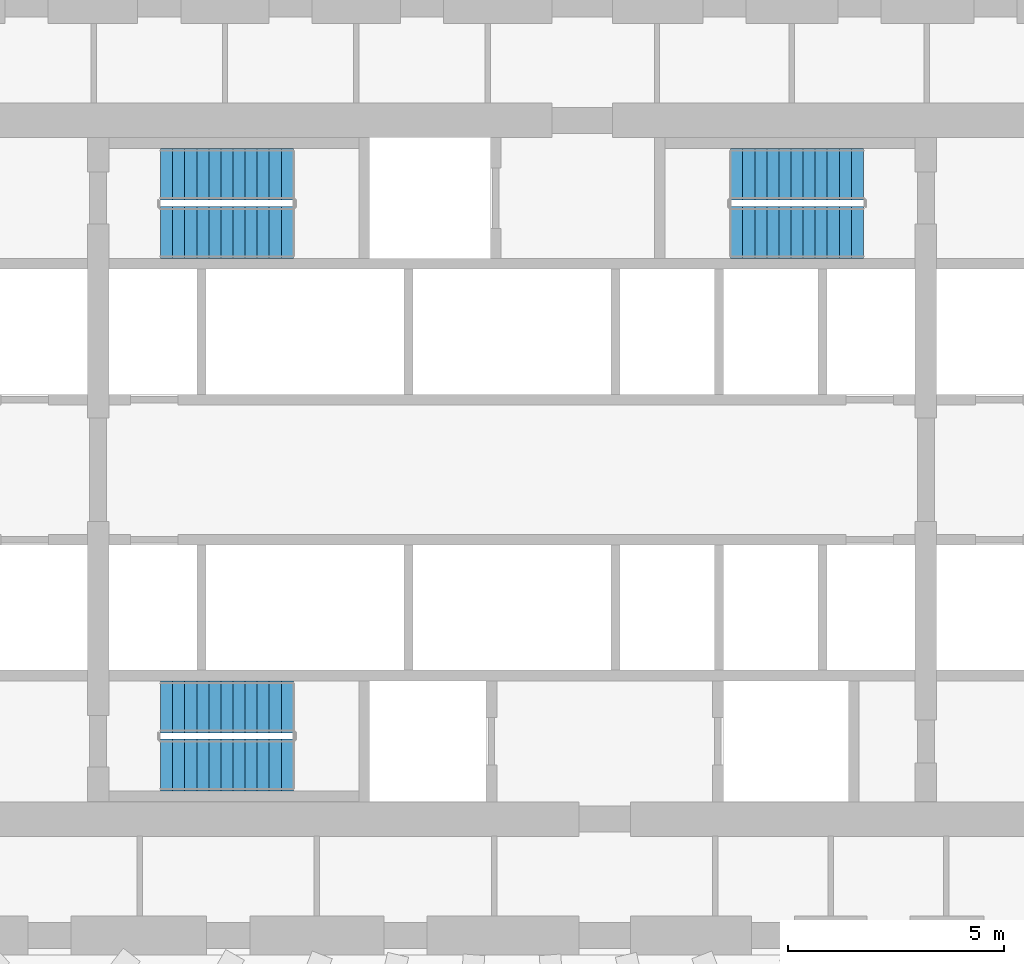
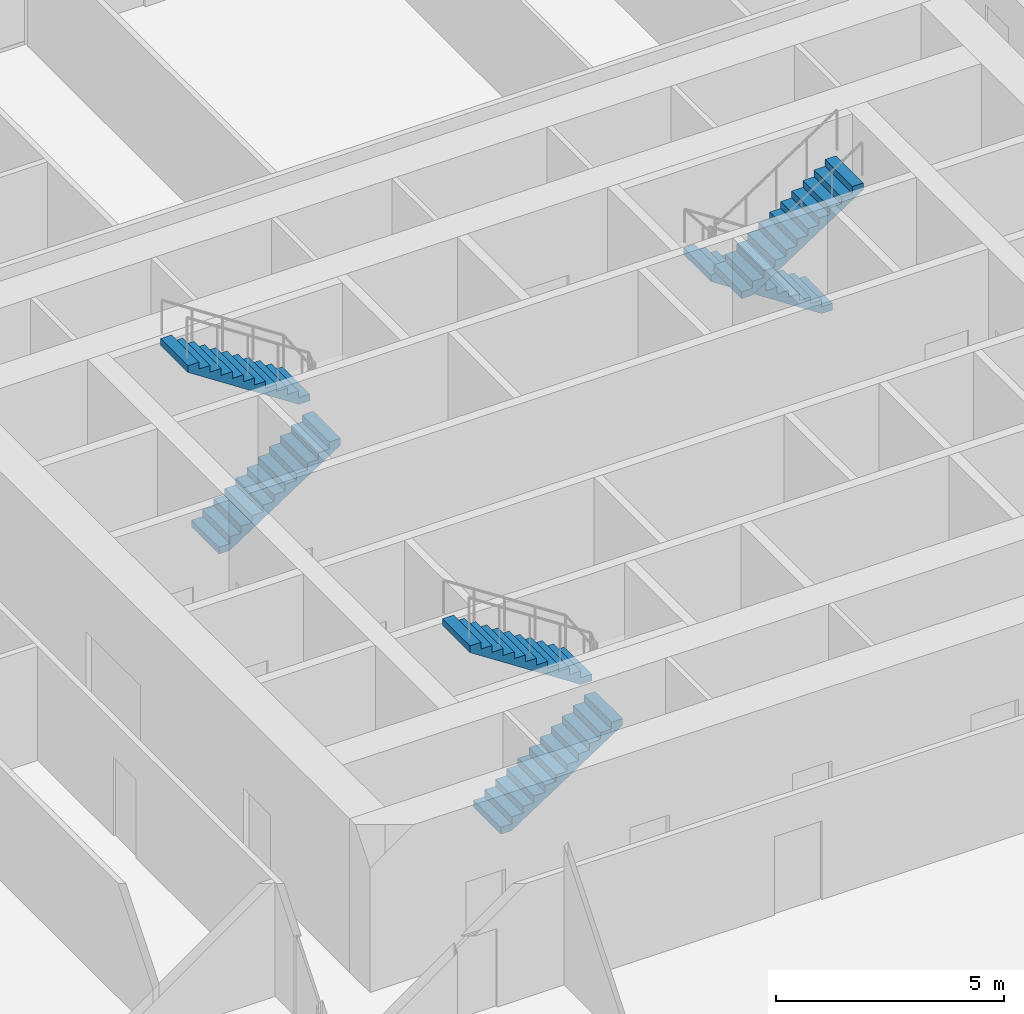
# One storey, part 15 of 18: 6 stair flights, 3 elements without a shape of their own.
"""IFC4 building model written with IfcOpenShell, lengths in metres."""

from ifc_helpers import new_model, si_unit, direction, frame, origin, place, context, subcontext, project, spatial, polyline, outline, extrude, material, layer, layer_set, type_object, element, aggregate, save


model = new_model("IFC4")

# Units and contexts
model_context = context("Model", 3, precision=1e-05, world=origin(), true_north=direction((0.0, 1.0)))
body_context = subcontext(model_context, "Body", "Model", "MODEL_VIEW")
ifc_project = project(units=[si_unit("LENGTHUNIT", "METRE"), si_unit("AREAUNIT", "SQUARE_METRE"), si_unit("VOLUMEUNIT", "CUBIC_METRE"), si_unit("PLANEANGLEUNIT", "RADIAN"), si_unit("MASSUNIT", "GRAM", prefix="KILO")], contexts=[model_context])

# Site, building, storey
site_placement = place(None, origin())
site = spatial("IfcSite", under=ifc_project, at=site_placement, CompositionType="ELEMENT")
building_placement = place(site_placement, origin())
building = spatial("IfcBuilding", under=site, at=building_placement, Name="Frailejon Research Tower", CompositionType="ELEMENT")
storey_placement = place(building_placement, frame((0.0, 0.0, 19.0)))
storey = spatial("IfcBuildingStorey", under=building, at=storey_placement, Name="L04", CompositionType="ELEMENT", Elevation=19.0)

# Stair, stair flights
ifc_material_1 = material(Name="Concrete C50/60", Category="concrete")
stair_type = type_object("IfcStairType", Name="Exit stair 24 risers", PredefinedType="HALF_TURN_STAIR", material=ifc_material_1)
stair_1_placement = place(storey_placement, origin())
stair_1 = element("IfcStair", 1, at=stair_1_placement, inside=storey, type_object=stair_type, Name="L04 Exit stair ST1", PredefinedType="HALF_TURN_STAIR")
ifc_material_2 = material(Name="Concrete C50/60", Category="concrete")
ifc_layer = layer(ifc_material_2, 0.14990234375)
ifc_layer_set = layer_set([ifc_layer], Name="Stair flight 12 risers")
stair_flight_type = type_object("IfcStairFlightType", Name="Stair flight 12 risers", PredefinedType="STRAIGHT", material=ifc_layer_set)
stair_flight_1_placement = place(storey_placement, frame((-8.14990234375, 5.5, 0.0), z_axis=(0.0, 0.0, 1.0), x_axis=(1.0, 0.0, 0.0)))
stair_flight_1 = element("IfcStairFlight", 2, at=stair_flight_1_placement, type_object=stair_flight_type, Name="ST1 flight 1", NumberOfRisers=12, NumberOfTreads=11, PredefinedType="STRAIGHT", RiserHeight=0.183333333, TreadLength=0.28, context=body_context, shape_type="SweptSolid", body=[
    extrude(outline(polyline([(0.0, 0.0), (0.0, 0.183349609375), (0.280029296875, 0.183349609375), (0.280029296875, 0.36669921875), (0.56005859375, 0.36669921875), (0.56005859375, 0.550048828125), (0.840087890625, 0.550048828125), (0.840087890625, 0.7333984375), (1.1201171875, 0.7333984375), (1.1201171875, 0.916748046875), (1.39990234375, 0.916748046875), (1.39990234375, 1.10009765625), (1.679931640625, 1.10009765625), (1.679931640625, 1.283447265625), (1.9599609375, 1.283447265625), (1.9599609375, 1.466552734375), (2.239990234375, 1.466552734375), (2.239990234375, 1.64990234375), (2.52001953125, 1.64990234375), (2.52001953125, 1.833251953125), (2.800048828125, 1.833251953125), (2.800048828125, 2.0166015625), (3.080078125, 2.0166015625), (3.080078125, 2.199951171875), (3.080078125, 1.83740234375), (0.273681640625, 0.0), (0.0, 0.0)])), frame((0.0, 0.60009765625, 0.0), z_axis=(0.0, -1.0, 0.0), x_axis=(1.0, 0.0, 0.0)), (0.0, 0.0, 1.0), 1.199951171875),
])
stair_flight_2_placement = place(storey_placement, frame((-5.070068359375, 6.85009765625, 2.199951171875), z_axis=(0.0, 0.0, 1.0), x_axis=(-1.0, 0.0, 0.0)))
stair_flight_2 = element("IfcStairFlight", 3, at=stair_flight_2_placement, type_object=stair_flight_type, Name="ST1 flight 2", NumberOfRisers=12, NumberOfTreads=11, PredefinedType="STRAIGHT", RiserHeight=0.183333333, TreadLength=0.28, context=body_context, shape_type="SweptSolid", body=[
    extrude(outline(polyline([(0.0, 0.0), (0.0, 0.183349609375), (0.280029296875, 0.183349609375), (0.280029296875, 0.36669921875), (0.56005859375, 0.36669921875), (0.56005859375, 0.550048828125), (0.840087890625, 0.550048828125), (0.840087890625, 0.7333984375), (1.1201171875, 0.7333984375), (1.1201171875, 0.916748046875), (1.39990234375, 0.916748046875), (1.39990234375, 1.10009765625), (1.679931640625, 1.10009765625), (1.679931640625, 1.283447265625), (1.9599609375, 1.283447265625), (1.9599609375, 1.466552734375), (2.239990234375, 1.466552734375), (2.239990234375, 1.64990234375), (2.52001953125, 1.64990234375), (2.52001953125, 1.833251953125), (2.800048828125, 1.833251953125), (2.800048828125, 2.0166015625), (3.080078125, 2.0166015625), (3.080078125, 2.199951171875), (3.080078125, 1.83740234375), (0.273681640625, 0.0), (0.0, 0.0)])), frame((0.0, 0.60009765625, 0.0), z_axis=(0.0, -1.0, 0.0), x_axis=(1.0, 0.0, 0.0)), (0.0, 0.0, 1.0), 1.199951171875),
])
aggregate(stair_1, [stair_flight_1, stair_flight_2])

stair_2_placement = place(storey_placement, origin())
stair_2 = element("IfcStair", 4, at=stair_2_placement, inside=storey, type_object=stair_type, Name="L04 Exit stair ST2", PredefinedType="HALF_TURN_STAIR")
stair_flight_3_placement = place(storey_placement, frame((-8.14990234375, -6.85009765625, 0.0), z_axis=(0.0, 0.0, 1.0), x_axis=(1.0, 0.0, 0.0)))
stair_flight_3 = element("IfcStairFlight", 5, at=stair_flight_3_placement, type_object=stair_flight_type, Name="ST2 flight 1", NumberOfRisers=12, NumberOfTreads=11, PredefinedType="STRAIGHT", RiserHeight=0.183333333, TreadLength=0.28, context=body_context, shape_type="SweptSolid", body=[
    extrude(outline(polyline([(0.0, 0.0), (0.0, 0.183349609375), (0.280029296875, 0.183349609375), (0.280029296875, 0.36669921875), (0.56005859375, 0.36669921875), (0.56005859375, 0.550048828125), (0.840087890625, 0.550048828125), (0.840087890625, 0.7333984375), (1.1201171875, 0.7333984375), (1.1201171875, 0.916748046875), (1.39990234375, 0.916748046875), (1.39990234375, 1.10009765625), (1.679931640625, 1.10009765625), (1.679931640625, 1.283447265625), (1.9599609375, 1.283447265625), (1.9599609375, 1.466552734375), (2.239990234375, 1.466552734375), (2.239990234375, 1.64990234375), (2.52001953125, 1.64990234375), (2.52001953125, 1.833251953125), (2.800048828125, 1.833251953125), (2.800048828125, 2.0166015625), (3.080078125, 2.0166015625), (3.080078125, 2.199951171875), (3.080078125, 1.83740234375), (0.273681640625, 0.0), (0.0, 0.0)])), frame((0.0, 0.60009765625, 0.0), z_axis=(0.0, -1.0, 0.0), x_axis=(1.0, 0.0, 0.0)), (0.0, 0.0, 1.0), 1.199951171875),
])
stair_flight_4_placement = place(storey_placement, frame((-5.070068359375, -5.5, 2.199951171875), z_axis=(0.0, 0.0, 1.0), x_axis=(-1.0, 0.0, 0.0)))
stair_flight_4 = element("IfcStairFlight", 6, at=stair_flight_4_placement, type_object=stair_flight_type, Name="ST2 flight 2", NumberOfRisers=12, NumberOfTreads=11, PredefinedType="STRAIGHT", RiserHeight=0.183333333, TreadLength=0.28, context=body_context, shape_type="SweptSolid", body=[
    extrude(outline(polyline([(0.0, 0.0), (0.0, 0.183349609375), (0.280029296875, 0.183349609375), (0.280029296875, 0.36669921875), (0.56005859375, 0.36669921875), (0.56005859375, 0.550048828125), (0.840087890625, 0.550048828125), (0.840087890625, 0.7333984375), (1.1201171875, 0.7333984375), (1.1201171875, 0.916748046875), (1.39990234375, 0.916748046875), (1.39990234375, 1.10009765625), (1.679931640625, 1.10009765625), (1.679931640625, 1.283447265625), (1.9599609375, 1.283447265625), (1.9599609375, 1.466552734375), (2.239990234375, 1.466552734375), (2.239990234375, 1.64990234375), (2.52001953125, 1.64990234375), (2.52001953125, 1.833251953125), (2.800048828125, 1.833251953125), (2.800048828125, 2.0166015625), (3.080078125, 2.0166015625), (3.080078125, 2.199951171875), (3.080078125, 1.83740234375), (0.273681640625, 0.0), (0.0, 0.0)])), frame((0.0, 0.60009765625, 0.0), z_axis=(0.0, -1.0, 0.0), x_axis=(1.0, 0.0, 0.0)), (0.0, 0.0, 1.0), 1.199951171875),
])
aggregate(stair_2, [stair_flight_3, stair_flight_4])

stair_3_placement = place(storey_placement, origin())
stair_3 = element("IfcStair", 7, at=stair_3_placement, inside=storey, type_object=stair_type, Name="L04 Exit stair ST3", PredefinedType="HALF_TURN_STAIR")
stair_flight_5_placement = place(storey_placement, frame((8.14990234375, 6.85009765625, 0.0), z_axis=(0.0, 0.0, 1.0), x_axis=(-1.0, 0.0, 0.0)))
stair_flight_5 = element("IfcStairFlight", 8, at=stair_flight_5_placement, type_object=stair_flight_type, Name="ST3 flight 1", NumberOfRisers=12, NumberOfTreads=11, PredefinedType="STRAIGHT", RiserHeight=0.183333333, TreadLength=0.28, context=body_context, shape_type="SweptSolid", body=[
    extrude(outline(polyline([(0.0, 0.0), (0.0, 0.183349609375), (0.280029296875, 0.183349609375), (0.280029296875, 0.36669921875), (0.56005859375, 0.36669921875), (0.56005859375, 0.550048828125), (0.840087890625, 0.550048828125), (0.840087890625, 0.7333984375), (1.1201171875, 0.7333984375), (1.1201171875, 0.916748046875), (1.39990234375, 0.916748046875), (1.39990234375, 1.10009765625), (1.679931640625, 1.10009765625), (1.679931640625, 1.283447265625), (1.9599609375, 1.283447265625), (1.9599609375, 1.466552734375), (2.239990234375, 1.466552734375), (2.239990234375, 1.64990234375), (2.52001953125, 1.64990234375), (2.52001953125, 1.833251953125), (2.800048828125, 1.833251953125), (2.800048828125, 2.0166015625), (3.080078125, 2.0166015625), (3.080078125, 2.199951171875), (3.080078125, 1.83740234375), (0.273681640625, 0.0), (0.0, 0.0)])), frame((0.0, 0.60009765625, 0.0), z_axis=(0.0, -1.0, 0.0), x_axis=(1.0, 0.0, 0.0)), (0.0, 0.0, 1.0), 1.199951171875),
])
stair_flight_6_placement = place(storey_placement, frame((5.070068359375, 5.5, 2.199951171875), z_axis=(0.0, 0.0, 1.0), x_axis=(1.0, 0.0, 0.0)))
stair_flight_6 = element("IfcStairFlight", 9, at=stair_flight_6_placement, type_object=stair_flight_type, Name="ST3 flight 2", NumberOfRisers=12, NumberOfTreads=11, PredefinedType="STRAIGHT", RiserHeight=0.183333333, TreadLength=0.28, context=body_context, shape_type="SweptSolid", body=[
    extrude(outline(polyline([(0.0, 0.0), (0.0, 0.183349609375), (0.280029296875, 0.183349609375), (0.280029296875, 0.36669921875), (0.56005859375, 0.36669921875), (0.56005859375, 0.550048828125), (0.840087890625, 0.550048828125), (0.840087890625, 0.7333984375), (1.1201171875, 0.7333984375), (1.1201171875, 0.916748046875), (1.39990234375, 0.916748046875), (1.39990234375, 1.10009765625), (1.679931640625, 1.10009765625), (1.679931640625, 1.283447265625), (1.9599609375, 1.283447265625), (1.9599609375, 1.466552734375), (2.239990234375, 1.466552734375), (2.239990234375, 1.64990234375), (2.52001953125, 1.64990234375), (2.52001953125, 1.833251953125), (2.800048828125, 1.833251953125), (2.800048828125, 2.0166015625), (3.080078125, 2.0166015625), (3.080078125, 2.199951171875), (3.080078125, 1.83740234375), (0.273681640625, 0.0), (0.0, 0.0)])), frame((0.0, 0.60009765625, 0.0), z_axis=(0.0, -1.0, 0.0), x_axis=(1.0, 0.0, 0.0)), (0.0, 0.0, 1.0), 1.199951171875),
])
aggregate(stair_3, [stair_flight_5, stair_flight_6])

save(model, "model.ifc")
